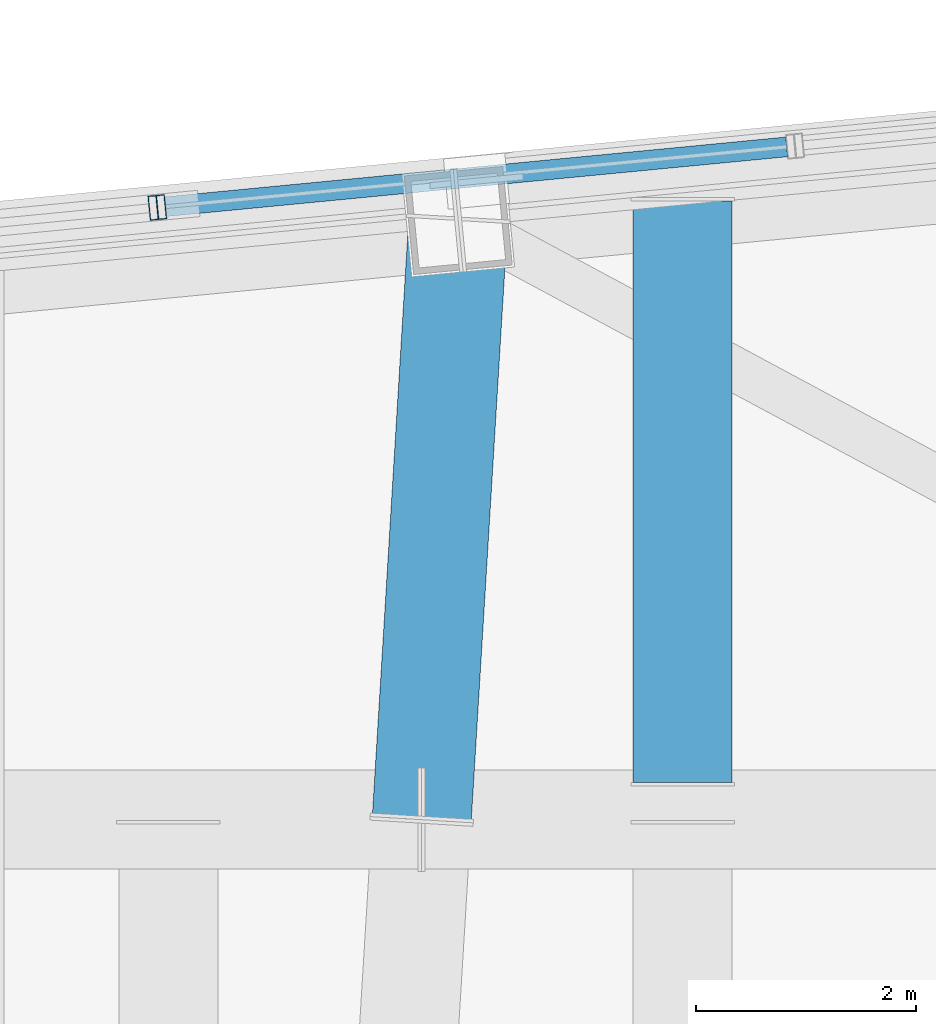
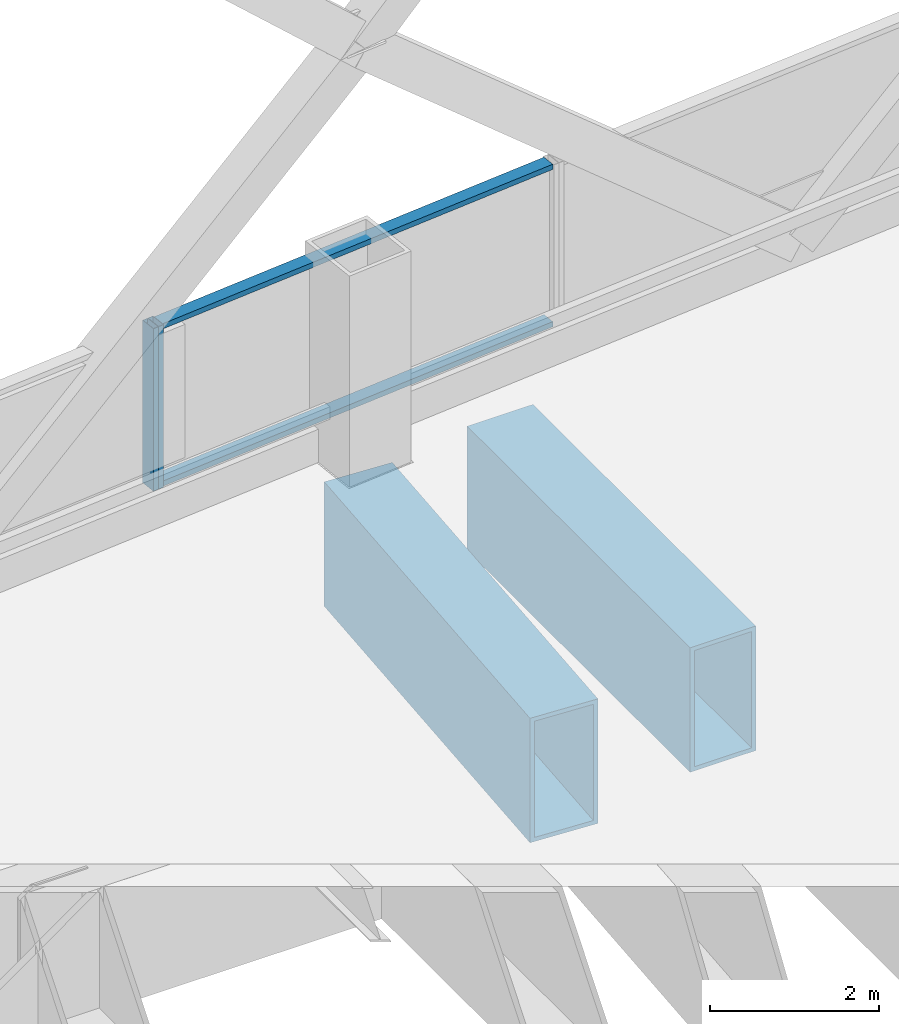
# One storey, part 28 of 42: 4 members, 2 beams, 2 elements without a shape of their own.
"""IFC4 building model written with IfcOpenShell, lengths in metres."""

from ifc_helpers import new_model, si_unit, direction, frame, origin, origin_2d, place, context, subcontext, project, spatial, hollow_rectangle, extrude, material, layer, layer_set, material_profile, profile_set, type_object, element, aggregate, save


model = new_model("IFC4")

# Units and contexts
model_context = context("Model", 3, precision=1e-05, world=origin(), true_north=direction((0.0, 1.0)))
body_context = subcontext(model_context, "Body", "Model", "MODEL_VIEW")
ifc_project = project(units=[si_unit("LENGTHUNIT", "METRE"), si_unit("AREAUNIT", "SQUARE_METRE"), si_unit("VOLUMEUNIT", "CUBIC_METRE"), si_unit("PLANEANGLEUNIT", "RADIAN"), si_unit("MASSUNIT", "GRAM", prefix="KILO")], contexts=[model_context])

# Site, building, storey
site_placement = place(None, origin())
site = spatial("IfcSite", under=ifc_project, at=site_placement, CompositionType="ELEMENT")
building_placement = place(site_placement, origin())
building = spatial("IfcBuilding", under=site, at=building_placement, Name="Qhalaya Broadcast Tower", CompositionType="ELEMENT")
storey_placement = place(building_placement, frame((0.0, 0.0, 69.449951171875)))
storey = spatial("IfcBuildingStorey", under=building, at=storey_placement, Name="L19", CompositionType="ELEMENT", Elevation=69.449951171875)

# Beams
ifc_material_1 = material(Name="Structural Steel ASTM A572 Grade 50", Category="steel")
ifc_material_profile_1 = material_profile(ifc_material_1, hollow_rectangle(XDim=0.89990234375, YDim=1.800048828125, WallThickness=0.06005859375, at=origin_2d()), Name="BOX 900x1800x60")
ifc_profile_set_1 = profile_set([ifc_material_profile_1], Name="Structural Steel ASTM A572 Grade 50")
beam_type = type_object("IfcBeamType", Name="Block Cantilever Transfer Box Girder TG1", PredefinedType="USERDEFINED", material=ifc_profile_set_1)
beam_1_placement = place(storey_placement, frame((7.00341796875, 22.669921875, -1.119873046875), z_axis=(0.060798973262, 0.998150031233, 0.0), x_axis=(-0.998150031233, 0.060798973262, 0.0)))
element("IfcBeam", 1, at=beam_1_placement, inside=storey, type_object=beam_type, Name="L19 Cantilever Transfer Box Girder 10", ObjectType="GIRDER", PredefinedType="USERDEFINED", context=body_context, shape_type="SweptSolid", body=[
    extrude(hollow_rectangle(XDim=0.89990234375, YDim=1.800048828125, WallThickness=0.06005859375, at=origin_2d()), origin(), (0.0, 0.0, 1.0), 5.45703125),
])
beam_2_placement = place(storey_placement, frame((9.375, 23.010009765625, -1.119873046875), z_axis=(0.0, 1.0, 0.0), x_axis=(-1.0, 0.0, 0.0)))
element("IfcBeam", 2, at=beam_2_placement, inside=storey, type_object=beam_type, Name="L19 TG1 L19-PGXN2-OV1", ObjectType="GIRDER", PredefinedType="USERDEFINED", context=body_context, shape_type="SweptSolid", body=[
    extrude(hollow_rectangle(XDim=0.89990234375, YDim=1.800048828125, WallThickness=0.06005859375, at=origin_2d()), origin(), (0.0, 0.0, 1.0), 5.283203125),
])

# Curtain wall, member
ifc_material_2 = material(Name="Solar-Control Low-E Triple Glazing", Category="glass")
ifc_layer_1 = layer(ifc_material_2, 0.219970703125, Name="Solar-Control Low-E Triple Glazing")
ifc_layer_set_1 = layer_set([ifc_layer_1], Name="Solar-Control Low-E Triple Glazing")
curtain_wall_type_1 = type_object("IfcCurtainWallType", Name="Even-Block 4-Storey Double-Module Curtain Wall CW-03", PredefinedType="NOTDEFINED", material=ifc_layer_set_1)
curtain_wall_1_placement = place(storey_placement, origin())
curtain_wall_1 = element("IfcCurtainWall", 3, at=curtain_wall_1_placement, inside=storey, type_object=curtain_wall_type_1, Name="L19 Unitised Curtain Wall L19-CW-N3", PredefinedType="NOTDEFINED")
ifc_material_3 = material(Name="Anodised Aluminium 6063-T6", Category="aluminium")
ifc_material_profile_2 = material_profile(ifc_material_3, hollow_rectangle(XDim=0.074951171875, YDim=0.219970703125, WallThickness=0.00390625, at=origin_2d()), Name="ALU-MUL 75x220x4")
ifc_profile_set_2 = profile_set([ifc_material_profile_2], Name="Anodised Aluminium 6063-T6")
member_type_1 = type_object("IfcMemberType", Name="Unitised Curtain-Wall Mullion M01", PredefinedType="MULLION", material=ifc_profile_set_2)
member_1_placement = place(storey_placement, frame((4.63720703125, 28.239013671875, 0.47998046875), z_axis=(0.0, 0.0, 1.0), x_axis=(-0.995396371729, -0.095843952075, 0.0)))
member_1 = element("IfcMember", 4, at=member_1_placement, type_object=member_type_1, Name="CW-03 mullion 2", PredefinedType="MULLION", context=body_context, shape_type="SweptSolid", body=[
    extrude(hollow_rectangle(XDim=0.074951171875, YDim=0.219970703125, WallThickness=0.00390625, at=origin_2d()), origin(), (0.0, 0.0, 1.0), 2.35009765625),
])

ifc_material_4 = material(Name="Fired Architectural Terracotta", Category="masonry")
ifc_layer_2 = layer(ifc_material_4, 0.219970703125, Name="Fired Architectural Terracotta")
ifc_layer_set_2 = layer_set([ifc_layer_2], Name="Fired Architectural Terracotta")
curtain_wall_type_2 = type_object("IfcCurtainWallType", Name="Block-Cap Unitised Terracotta Spandrel Wall CW-07", PredefinedType="NOTDEFINED", material=ifc_layer_set_2)
curtain_wall_2_placement = place(storey_placement, origin())
curtain_wall_2 = element("IfcCurtainWall", 5, at=curtain_wall_2_placement, inside=storey, type_object=curtain_wall_type_2, Name="L19 Unitised Curtain Wall L19-CW-N4", PredefinedType="NOTDEFINED")
member_2_placement = place(storey_placement, frame((4.562744140625, 28.231689453125, 0.47998046875), z_axis=(0.0, 0.0, 1.0), x_axis=(-0.995395768185, -0.095850220023, 0.0)))
member_2 = element("IfcMember", 6, at=member_2_placement, type_object=member_type_1, Name="CW-07 mullion 1", PredefinedType="MULLION", context=body_context, shape_type="SweptSolid", body=[
    extrude(hollow_rectangle(XDim=0.074951171875, YDim=0.219970703125, WallThickness=0.00390625, at=origin_2d()), origin(), (0.0, 0.0, 1.0), 2.35009765625),
])
aggregate(curtain_wall_2, [member_2])

# Member
ifc_material_profile_3 = material_profile(ifc_material_3, hollow_rectangle(XDim=0.074951171875, YDim=0.179931640625, WallThickness=0.00390625, at=origin_2d()), Name="ALU-TRN 75x180x4")
ifc_profile_set_3 = profile_set([ifc_material_profile_3], Name="Anodised Aluminium 6063-T6")
member_type_2 = type_object("IfcMemberType", Name="Unitised Curtain-Wall Transom T01", PredefinedType="USERDEFINED", material=ifc_profile_set_3)
member_3_placement = place(storey_placement, frame((10.321533203125, 28.7861328125, 0.517578125), z_axis=(-0.995396878598, -0.095838687792, 0.0), x_axis=(0.0, 0.0, 1.0)))
member_3 = element("IfcMember", 7, at=member_3_placement, type_object=member_type_2, Name="CW-03 transom 1.1", ObjectType="TRANSOM", PredefinedType="USERDEFINED", context=body_context, shape_type="SweptSolid", body=[
    extrude(hollow_rectangle(XDim=0.074951171875, YDim=0.179931640625, WallThickness=0.00390625, at=origin_2d()), origin(), (0.0, 0.0, 1.0), 5.673095703125),
])

member_4_placement = place(storey_placement, frame((10.321533203125, 28.7861328125, 2.79248046875), z_axis=(-0.995396878598, -0.095838687792, 0.0), x_axis=(0.0, 0.0, 1.0)))
member_4 = element("IfcMember", 8, at=member_4_placement, type_object=member_type_2, Name="CW-03 transom 1.2", ObjectType="TRANSOM", PredefinedType="USERDEFINED", context=body_context, shape_type="SweptSolid", body=[
    extrude(hollow_rectangle(XDim=0.074951171875, YDim=0.179931640625, WallThickness=0.00390625, at=origin_2d()), origin(), (0.0, 0.0, 1.0), 5.673095703125),
])

aggregate(curtain_wall_1, [member_1, member_3, member_4])

save(model, "model.ifc")
